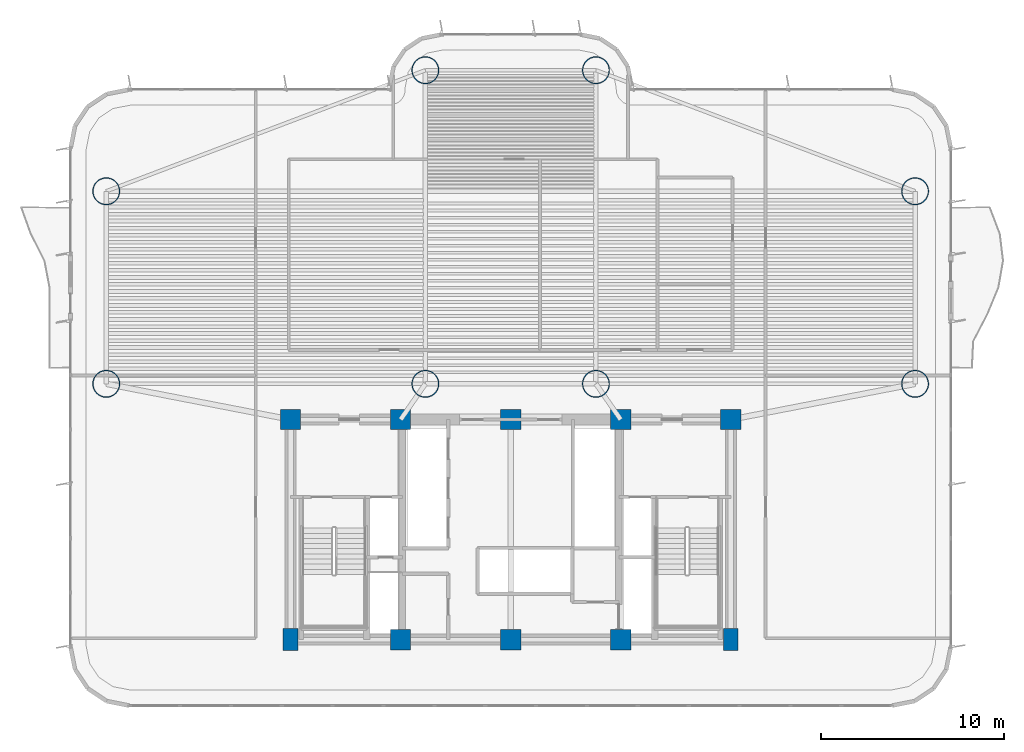
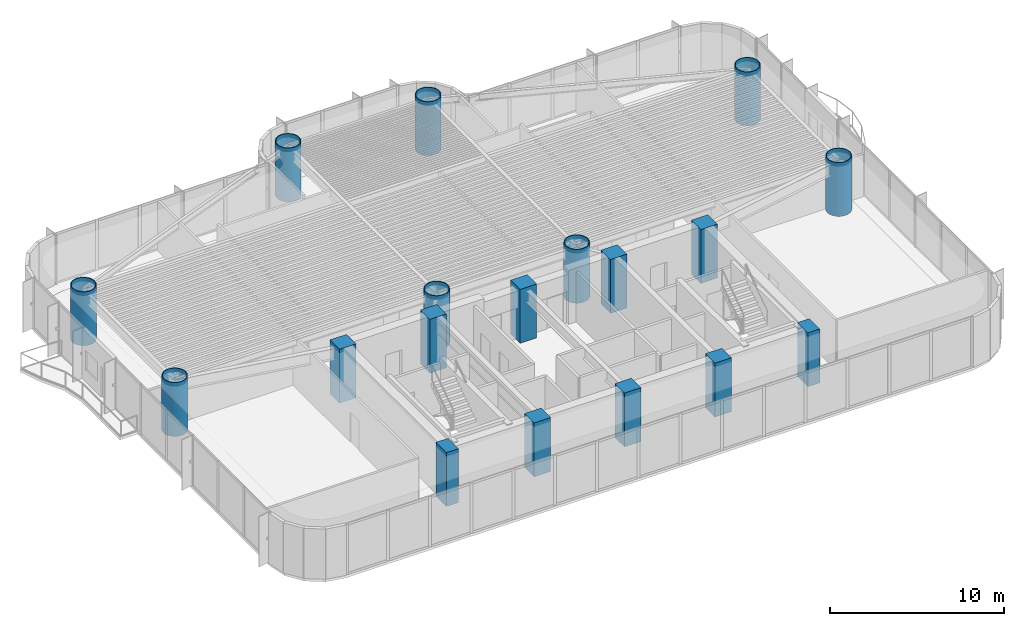
# One storey, part 1 of 16: 18 columns.
"""IFC4 building model written with IfcOpenShell, lengths in metres."""

from ifc_helpers import new_model, si_unit, direction, frame, origin, origin_2d, place, context, subcontext, project, spatial, rectangle, hollow_circle, extrude, source, transform, mapped, material, material_profile, profile_set, type_object, element, save


model = new_model("IFC4")

# Units and contexts
model_context = context("Model", 3, precision=1e-05, world=origin(), true_north=direction((0.0, 1.0)))
body_context = subcontext(model_context, "Body", "Model", "MODEL_VIEW")
ifc_project = project(units=[si_unit("LENGTHUNIT", "METRE"), si_unit("AREAUNIT", "SQUARE_METRE"), si_unit("VOLUMEUNIT", "CUBIC_METRE"), si_unit("PLANEANGLEUNIT", "RADIAN"), si_unit("MASSUNIT", "GRAM", prefix="KILO")], contexts=[model_context])

# Site, building, storey
site_placement = place(None, origin())
site = spatial("IfcSite", under=ifc_project, at=site_placement, CompositionType="ELEMENT")
building_placement = place(site_placement, origin())
building = spatial("IfcBuilding", under=site, at=building_placement, Name="Brelvock Crest Care Tower", CompositionType="ELEMENT")
storey_placement = place(building_placement, frame((0.0, 0.0, 61.02001953125)))
storey = spatial("IfcBuildingStorey", under=building, at=storey_placement, Name="L15", CompositionType="ELEMENT", Elevation=61.02001953125)

# Columns
ifc_material_1 = material(Name="Concrete S80 (80 MPa)", Category="concrete")
ifc_material_profile_1 = material_profile(ifc_material_1, rectangle(XDim=0.800048828125, YDim=1.199951171875, at=origin_2d()), Name="RC800x1200")
ifc_profile_set_1 = profile_set([ifc_material_profile_1], Name="Concrete S80 (80 MPa)")
column_type_1 = type_object("IfcColumnType", Name="COL-RC5", PredefinedType="COLUMN", material=ifc_profile_set_1)
shared_shape_1 = source(origin(), body_context, "Body", "SweptSolid", [
    extrude(rectangle(XDim=0.800048828125, YDim=1.199951171875, at=origin_2d()), origin(), (0.0, 0.0, 1.0), 3.780029296875),
])
for number, where, z_axis, x_axis, name in (
    (1, (24.0, 6.0, 0.0), (0.0, 0.0, 1.0), (1.0, 0.0, 0.0), "L15 Core Column CC-01"),
    (2, (48.0, 6.0, 0.0), (0.0, 0.0, 1.0), (1.0, 0.0, 0.0), "L15 Core Column CC-05"),
):
    element("IfcColumn", number, at=place(storey_placement, frame(where, z_axis=z_axis, x_axis=x_axis)), inside=storey, type_object=column_type_1, Name=name, PredefinedType="COLUMN", context=body_context, shape_type="MappedRepresentation", body=[
        mapped(shared_shape_1, transform((0.0, 0.0, 0.0), x_axis=(1.0, 0.0, 0.0), y_axis=(0.0, 1.0, 0.0), z_axis=(0.0, 0.0, 1.0), scale=1.0)),
    ])
ifc_material_profile_2 = material_profile(ifc_material_1, rectangle(XDim=1.10009765625, YDim=1.10009765625, at=origin_2d()), Name="RC1100x1100")
ifc_profile_set_2 = profile_set([ifc_material_profile_2], Name="Concrete S80 (80 MPa)")
column_type_2 = type_object("IfcColumnType", Name="COL-RC1", PredefinedType="COLUMN", material=ifc_profile_set_2)
shared_shape_2 = source(origin(), body_context, "Body", "SweptSolid", [
    extrude(rectangle(XDim=1.10009765625, YDim=1.10009765625, at=origin_2d()), origin(), (0.0, 0.0, 1.0), 3.780029296875),
])
for number, where, z_axis, x_axis, name in (
    (3, (30.0, 6.0, 0.0), (0.0, 0.0, 1.0), (1.0, 0.0, 0.0), "L15 Core Column CC-02"),
    (4, (36.0, 6.0, 0.0), (0.0, 0.0, 1.0), (1.0, 0.0, 0.0), "L15 Core Column CC-03"),
    (5, (42.0, 6.0, 0.0), (0.0, 0.0, 1.0), (1.0, 0.0, 0.0), "L15 Core Column CC-04"),
    (6, (24.0, 18.0, 0.0), (0.0, 0.0, 1.0), (1.0, 0.0, 0.0), "L15 Core Column CC-06"),
    (7, (30.0, 18.0, 0.0), (0.0, 0.0, 1.0), (1.0, 0.0, 0.0), "L15 Core Column CC-07"),
    (8, (36.0, 18.0, 0.0), (0.0, 0.0, 1.0), (1.0, 0.0, 0.0), "L15 Core Column CC-08"),
    (9, (42.0, 18.0, 0.0), (0.0, 0.0, 1.0), (1.0, 0.0, 0.0), "L15 Core Column CC-09"),
    (10, (48.0, 18.0, 0.0), (0.0, 0.0, 1.0), (1.0, 0.0, 0.0), "L15 Core Column CC-10"),
):
    element("IfcColumn", number, at=place(storey_placement, frame(where, z_axis=z_axis, x_axis=x_axis)), inside=storey, type_object=column_type_2, Name=name, PredefinedType="COLUMN", context=body_context, shape_type="MappedRepresentation", body=[
        mapped(shared_shape_2, transform((0.0, 0.0, 0.0), x_axis=(1.0, 0.0, 0.0), y_axis=(0.0, 1.0, 0.0), z_axis=(0.0, 0.0, 1.0), scale=1.0)),
    ])
ifc_material_2 = material(Name="Steel Grade 350", Category="steel")
ifc_material_profile_3 = material_profile(ifc_material_2, hollow_circle(Radius=0.75, WallThickness=0.050048828125, at=origin_2d()), Name="CFT1500x50")
ifc_profile_set_3 = profile_set([ifc_material_profile_3], Name="Steel Grade 350")
column_type_3 = type_object("IfcColumnType", Name="COL-MC1", PredefinedType="COLUMN", material=ifc_profile_set_3)
shared_shape_3 = source(origin(), body_context, "Body", "SweptSolid", [
    extrude(hollow_circle(Radius=0.75, WallThickness=0.050048828125, at=origin_2d()), origin(), (0.0, 0.0, 1.0), 3.780029296875),
])
for number, where, z_axis, x_axis, name in (
    (11, (13.949951171875, 19.949951171875, 0.0), (0.0, 0.0, 1.0), (1.0, 0.0, 0.0), "L15 Tower Column M1"),
    (12, (13.949951171875, 30.449951171875, 0.0), (0.0, 0.0, 1.0), (1.0, 0.0, 0.0), "L15 Tower Column M2"),
    (13, (58.050048828125, 19.949951171875, 0.0), (0.0, 0.0, 1.0), (1.0, 0.0, 0.0), "L15 Tower Column M3"),
    (14, (58.050048828125, 30.449951171875, 0.0), (0.0, 0.0, 1.0), (1.0, 0.0, 0.0), "L15 Tower Column M4"),
    (15, (31.35009765625, 19.949951171875, 0.0), (0.0, 0.0, 1.0), (1.0, 0.0, 0.0), "L15 Tower Column M5"),
    (16, (40.64990234375, 19.949951171875, 0.0), (0.0, 0.0, 1.0), (1.0, 0.0, 0.0), "L15 Tower Column M6"),
    (17, (31.35009765625, 37.050048828125, 0.0), (0.0, 0.0, 1.0), (1.0, 0.0, 0.0), "L15 Tower Column M7"),
    (18, (40.64990234375, 37.050048828125, 0.0), (0.0, 0.0, 1.0), (1.0, 0.0, 0.0), "L15 Tower Column M8"),
):
    element("IfcColumn", number, at=place(storey_placement, frame(where, z_axis=z_axis, x_axis=x_axis)), inside=storey, type_object=column_type_3, Name=name, PredefinedType="COLUMN", context=body_context, shape_type="MappedRepresentation", body=[
        mapped(shared_shape_3, transform((0.0, 0.0, 0.0), x_axis=(1.0, 0.0, 0.0), y_axis=(0.0, 1.0, 0.0), z_axis=(0.0, 0.0, 1.0), scale=1.0)),
    ])

save(model, "model.ifc")
